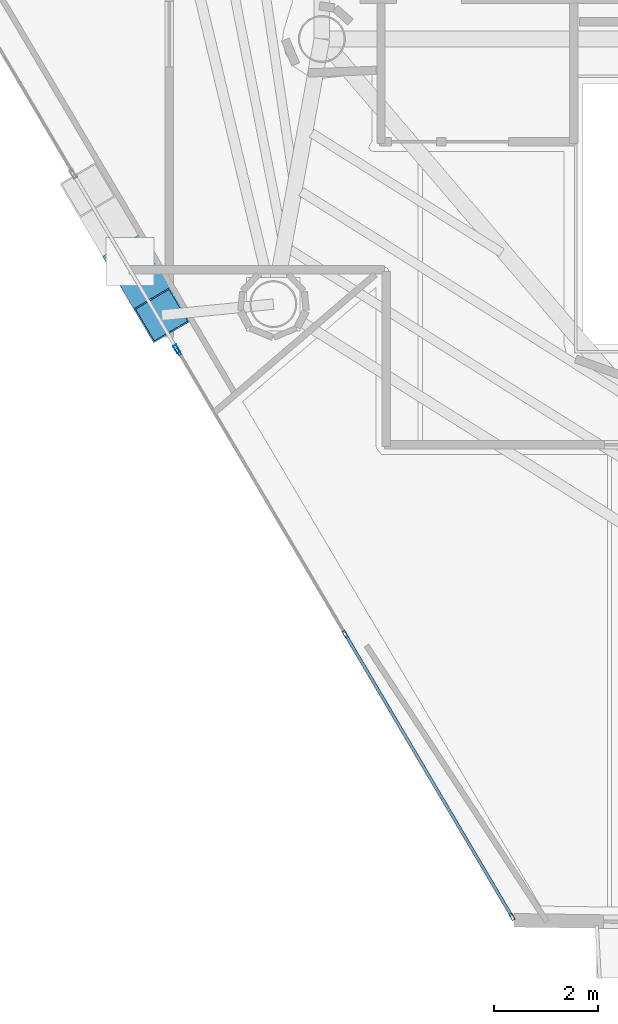
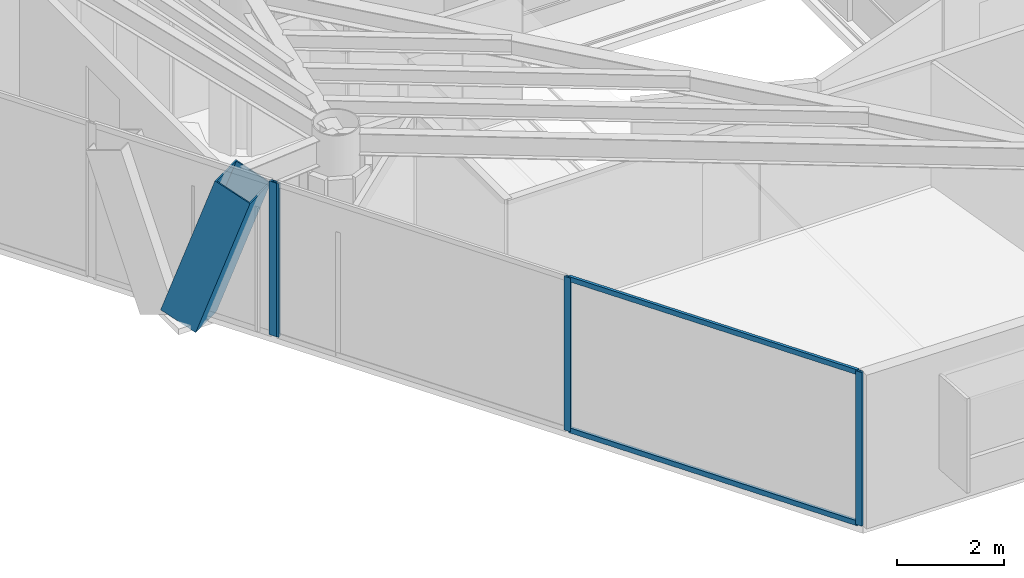
# One storey, part 2 of 19: 7 members, 2 elements without a shape of their own.
"""IFC4 building model written with IfcOpenShell, lengths in metres."""

from ifc_helpers import new_model, si_unit, direction, frame, origin, origin_2d, place, context, subcontext, project, spatial, hollow_rectangle, extrude, material, layer, layer_set, material_profile, profile_set, type_object, element, aggregate, save


model = new_model("IFC4")

# Units and contexts
model_context = context("Model", 3, precision=1e-05, world=origin(), true_north=direction((0.0, 1.0)))
body_context = subcontext(model_context, "Body", "Model", "MODEL_VIEW")
ifc_project = project(units=[si_unit("LENGTHUNIT", "METRE"), si_unit("AREAUNIT", "SQUARE_METRE"), si_unit("VOLUMEUNIT", "CUBIC_METRE"), si_unit("PLANEANGLEUNIT", "RADIAN"), si_unit("MASSUNIT", "GRAM", prefix="KILO")], contexts=[model_context])

# Site, building, storey
site_placement = place(None, origin())
site = spatial("IfcSite", under=ifc_project, at=site_placement, CompositionType="ELEMENT")
building_placement = place(site_placement, origin())
building = spatial("IfcBuilding", under=site, at=building_placement, Name="Qianvela Tower", CompositionType="ELEMENT")
storey_placement = place(building_placement, frame((0.0, 0.0, 280.60009765625)))
storey = spatial("IfcBuildingStorey", under=building, at=storey_placement, Name="L72", CompositionType="ELEMENT", Elevation=280.60009765625)

# Curtain wall, member
ifc_material_1 = material(Name="Anodised Architectural Aluminium and Insulated Spandrel Panel", Category="aluminium")
ifc_layer_1 = layer(ifc_material_1, 0.179931640625)
ifc_layer_set_1 = layer_set([ifc_layer_1], Name="Anodised Architectural Aluminium and Insulated Spandrel Panel")
curtain_wall_type_1 = type_object("IfcCurtainWallType", Name="CW-BRACEBAY", PredefinedType="USERDEFINED", material=ifc_layer_set_1)
curtain_wall_1_placement = place(storey_placement, origin())
curtain_wall_1 = element("IfcCurtainWall", 1, at=curtain_wall_1_placement, inside=storey, type_object=curtain_wall_type_1, Name="L72 CW-BRACEBAY Curtain Wall 04B", ObjectType="CURTAIN_WALL_SYSTEM", PredefinedType="USERDEFINED")
ifc_material_2 = material(Name="Anodised Architectural Aluminium 6063-T6", Category="aluminium")
ifc_material_profile_1 = material_profile(ifc_material_2, hollow_rectangle(XDim=0.06494140625, YDim=0.159912109375, WallThickness=0.0048828125, at=origin_2d()), Name="ALU-MULL-65x160")
ifc_profile_set_1 = profile_set([ifc_material_profile_1], Name="Anodised Architectural Aluminium 6063-T6")
member_type_1 = type_object("IfcMemberType", Name="CW-BRACEBAY-MULL", PredefinedType="MULLION", material=ifc_profile_set_1)
member_1_placement = place(storey_placement, frame((25.8203125, 17.9169921875, 0.0), z_axis=(0.0, 0.0, 1.0), x_axis=(0.861088269562, 0.5084554966, 0.0)))
member_1 = element("IfcMember", 2, at=member_1_placement, type_object=member_type_1, Name="CW-9 mullion 2", PredefinedType="MULLION", context=body_context, shape_type="SweptSolid", body=[
    extrude(hollow_rectangle(XDim=0.06494140625, YDim=0.159912109375, WallThickness=0.0048828125, at=origin_2d()), origin(), (0.0, 0.0, 1.0), 3.52001953125),
])
aggregate(curtain_wall_1, [member_1])

# Curtain wall, members
ifc_material_3 = material(Name="Anodised Architectural Aluminium and Low-E Glass", Category="aluminium")
ifc_layer_2 = layer(ifc_material_3, 0.14990234375)
ifc_layer_set_2 = layer_set([ifc_layer_2], Name="Anodised Architectural Aluminium and Low-E Glass")
curtain_wall_type_2 = type_object("IfcCurtainWallType", Name="CW-COLIV-Z78", PredefinedType="USERDEFINED", material=ifc_layer_set_2)
curtain_wall_2_placement = place(storey_placement, origin())
curtain_wall_2 = element("IfcCurtainWall", 3, at=curtain_wall_2_placement, inside=storey, type_object=curtain_wall_type_2, Name="L72 CW-COLIV-Z78 Curtain Wall 04C", ObjectType="CURTAIN_WALL_SYSTEM", PredefinedType="USERDEFINED")
ifc_material_4 = material(Name="Anodised Architectural Aluminium 6063-T6", Category="aluminium")
ifc_material_profile_2 = material_profile(ifc_material_4, hollow_rectangle(XDim=0.06005859375, YDim=0.139892578125, WallThickness=0.00439453125, at=origin_2d()), Name="ALU-MULL-60x140")
ifc_profile_set_2 = profile_set([ifc_material_profile_2], Name="Anodised Architectural Aluminium 6063-T6")
member_type_2 = type_object("IfcMemberType", Name="CW-COLIV-Z78-MULL", PredefinedType="MULLION", material=ifc_profile_set_2)
member_2_placement = place(storey_placement, frame((25.85205078125, 17.86328125, 0.0), z_axis=(0.0, 0.0, 1.0), x_axis=(0.861097147709, 0.508440460829, 0.0)))
member_2 = element("IfcMember", 4, at=member_2_placement, type_object=member_type_2, Name="CW-6 mullion 1", PredefinedType="MULLION", context=body_context, shape_type="SweptSolid", body=[
    extrude(hollow_rectangle(XDim=0.06005859375, YDim=0.139892578125, WallThickness=0.00439453125, at=origin_2d()), origin(), (0.0, 0.0, 1.0), 3.52001953125),
])
member_3_placement = place(storey_placement, frame((29.04541015625, 12.455078125, 0.0), z_axis=(0.0, 0.0, 1.0), x_axis=(0.861097147709, 0.508440460829, 0.0)))
member_3 = element("IfcMember", 5, at=member_3_placement, type_object=member_type_2, Name="CW-6 mullion 2", PredefinedType="MULLION", context=body_context, shape_type="SweptSolid", body=[
    extrude(hollow_rectangle(XDim=0.06005859375, YDim=0.139892578125, WallThickness=0.00439453125, at=origin_2d()), origin(), (0.0, 0.0, 1.0), 3.52001953125),
])
member_4_placement = place(storey_placement, frame((32.23876953125, 7.046630859375, 0.0), z_axis=(0.0, 0.0, 1.0), x_axis=(0.861097147709, 0.508440460829, 0.0)))
member_4 = element("IfcMember", 6, at=member_4_placement, type_object=member_type_2, Name="CW-6 mullion 3", PredefinedType="MULLION", context=body_context, shape_type="SweptSolid", body=[
    extrude(hollow_rectangle(XDim=0.06005859375, YDim=0.139892578125, WallThickness=0.00439453125, at=origin_2d()), origin(), (0.0, 0.0, 1.0), 3.52001953125),
])
ifc_material_5 = material(Name="Anodised Architectural Aluminium 6063-T6", Category="aluminium")
ifc_material_profile_3 = material_profile(ifc_material_5, hollow_rectangle(XDim=0.06005859375, YDim=0.114990234375, WallThickness=0.00390625, at=origin_2d()), Name="ALU-TRAN-60x115")
ifc_profile_set_3 = profile_set([ifc_material_profile_3], Name="Anodised Architectural Aluminium 6063-T6")
member_type_3 = type_object("IfcMemberType", Name="CW-COLIV-Z78-TRAN", PredefinedType="USERDEFINED", material=ifc_profile_set_3)
member_5_placement = place(storey_placement, frame((29.060791015625, 12.42919921875, 0.02978515625), z_axis=(0.508434424984, -0.861100711584, 0.0), x_axis=(0.861100711584, 0.508434424984, 0.0)))
member_5 = element("IfcMember", 7, at=member_5_placement, type_object=member_type_3, Name="CW-6 transom 2.1", ObjectType="TRANSOM", PredefinedType="USERDEFINED", context=body_context, shape_type="SweptSolid", body=[
    extrude(hollow_rectangle(XDim=0.06005859375, YDim=0.114990234375, WallThickness=0.00390625, at=origin_2d()), origin(), (0.0, 0.0, 1.0), 6.220703125),
])
member_6_placement = place(storey_placement, frame((29.060791015625, 12.42919921875, 3.489990234375), z_axis=(0.508434424984, -0.861100711584, 0.0), x_axis=(0.861100711584, 0.508434424984, 0.0)))
member_6 = element("IfcMember", 8, at=member_6_placement, type_object=member_type_3, Name="CW-6 transom 2.2", ObjectType="TRANSOM", PredefinedType="USERDEFINED", context=body_context, shape_type="SweptSolid", body=[
    extrude(hollow_rectangle(XDim=0.06005859375, YDim=0.114990234375, WallThickness=0.00390625, at=origin_2d()), origin(), (0.0, 0.0, 1.0), 6.220703125),
])
aggregate(curtain_wall_2, [member_2, member_3, member_4, member_5, member_6])

# Member
ifc_material_6 = material(Name="Steel Q420GJC", Category="steel")
ifc_material_profile_4 = material_profile(ifc_material_6, hollow_rectangle(XDim=0.800048828125, YDim=0.800048828125, WallThickness=0.028076171875, at=origin_2d()), Name="MBOX-800x800x28")
ifc_profile_set_4 = profile_set([ifc_material_profile_4], Name="Steel Q420GJC")
member_type_4 = type_object("IfcMemberType", Name="MBR-MBRACE-800", PredefinedType="BRACE", material=ifc_profile_set_4)
member_7_placement = place(storey_placement, frame((24.93701171875, 19.5703125, -0.14013671875), z_axis=(0.167430021489, -0.283512090509, 0.944239420083), x_axis=(0.861059318778, 0.508504522639, 0.0)))
element("IfcMember", 9, at=member_7_placement, inside=storey, type_object=member_type_4, Name="L72 Tier 12 Exterior Mega-Brace F2B", PredefinedType="BRACE", context=body_context, shape_type="SweptSolid", body=[
    extrude(hollow_rectangle(XDim=0.800048828125, YDim=0.800048828125, WallThickness=0.028076171875, at=origin_2d()), origin(), (0.0, 0.0, 1.0), 3.556396484375),
])

save(model, "model.ifc")
